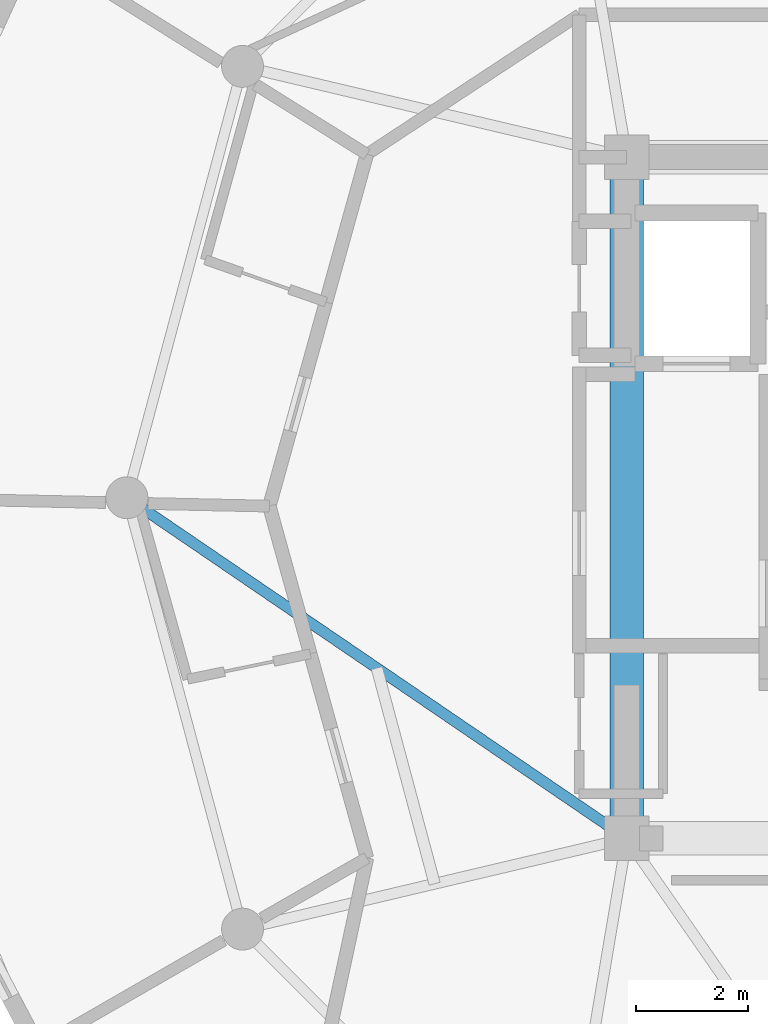
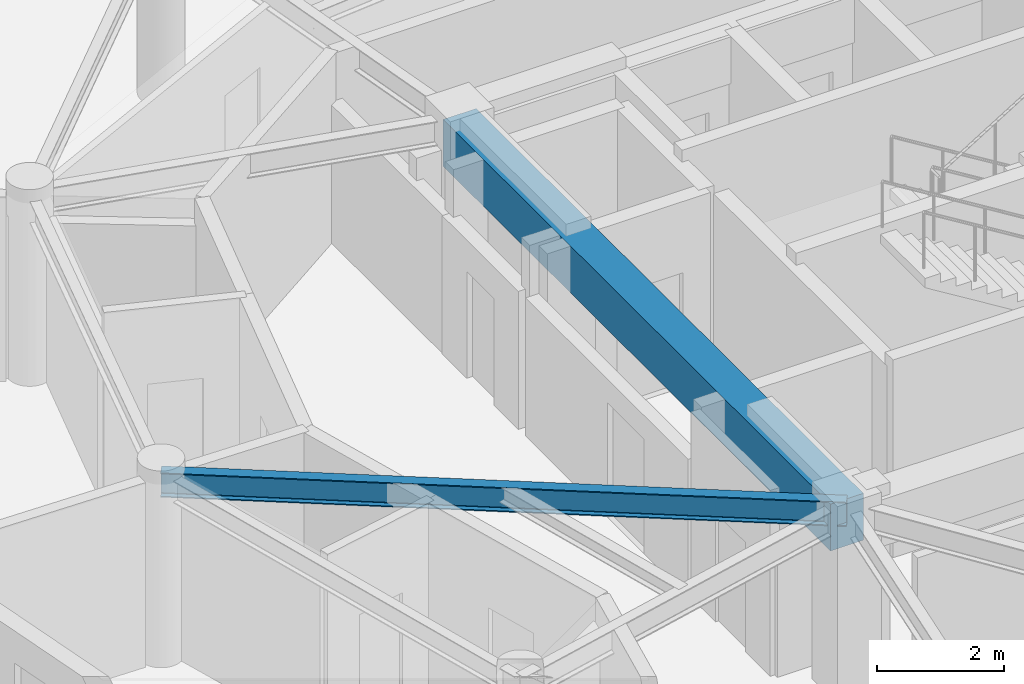
# One storey, part 8 of 18: 2 beams.
"""IFC4 building model written with IfcOpenShell, lengths in metres."""

from ifc_helpers import new_model, si_unit, direction, frame, origin, origin_2d, place, context, subcontext, project, spatial, rectangle, i_section, extrude, material, material_profile, profile_set, type_object, element, save


model = new_model("IFC4")

# Units and contexts
model_context = context("Model", 3, precision=1e-05, world=origin(), true_north=direction((0.0, 1.0)))
body_context = subcontext(model_context, "Body", "Model", "MODEL_VIEW")
ifc_project = project(units=[si_unit("LENGTHUNIT", "METRE"), si_unit("AREAUNIT", "SQUARE_METRE"), si_unit("VOLUMEUNIT", "CUBIC_METRE"), si_unit("PLANEANGLEUNIT", "RADIAN"), si_unit("MASSUNIT", "GRAM", prefix="KILO")], contexts=[model_context])

# Site, building, storey
site_placement = place(None, origin())
site = spatial("IfcSite", under=ifc_project, at=site_placement, CompositionType="ELEMENT")
building_placement = place(site_placement, origin())
building = spatial("IfcBuilding", under=site, at=building_placement, Name="Solvirekh Grand Hotel", CompositionType="ELEMENT")
storey_placement = place(building_placement, frame((0.0, 0.0, 274.39990234375)))
storey = spatial("IfcBuildingStorey", under=building, at=storey_placement, Name="L71", CompositionType="ELEMENT", Elevation=274.39990234375)

# Beams
ifc_material_1 = material(Name="Concrete C50/60", Category="concrete")
ifc_material_profile_1 = material_profile(ifc_material_1, rectangle(XDim=0.60009765625, YDim=0.89990234375, at=origin_2d()), Name="RC BEAM 600X900")
ifc_profile_set_1 = profile_set([ifc_material_profile_1], Name="Concrete C50/60")
beam_type_1 = type_object("IfcBeamType", Name="Beam_Core_RC900", PredefinedType="BEAM", material=ifc_profile_set_1)
beam_1_placement = place(storey_placement, frame((-6.5, 6.10009765625, 3.1201171875), z_axis=(0.0, -1.0, 0.0), x_axis=(1.0, 0.0, 0.0)))
element("IfcBeam", 1, at=beam_1_placement, inside=storey, type_object=beam_type_1, Name="L71 core coupling ring beam 4", PredefinedType="BEAM", context=body_context, shape_type="SweptSolid", body=[
    extrude(rectangle(XDim=0.60009765625, YDim=0.89990234375, at=origin_2d()), origin(), (0.0, 0.0, 1.0), 12.2001953125),
])
ifc_material_2 = material(Name="Steel S355", Category="steel")
ifc_material_profile_2 = material_profile(ifc_material_2, i_section(OverallWidth=0.194091796875, OverallDepth=0.468994140625, WebThickness=0.010986328125, FlangeThickness=0.01904296875, FilletRadius=0.012939453125, at=origin_2d()), Name="W460X106")
ifc_profile_set_2 = profile_set([ifc_material_profile_2], Name="Steel S355")
beam_type_2 = type_object("IfcBeamType", Name="Beam_Radial_W460H", PredefinedType="BEAM", material=ifc_profile_set_2)
beam_2_placement = place(storey_placement, frame((-6.5, -6.10009765625, 3.336181640625), z_axis=(-0.826319370306, 0.563201827285, 0.0), x_axis=(-0.563201827285, -0.826319370306, 0.0)))
element("IfcBeam", 2, at=beam_2_placement, inside=storey, type_object=beam_type_2, Name="L71 radial floor beam R07", PredefinedType="BEAM", context=body_context, shape_type="SweptSolid", body=[
    extrude(i_section(OverallWidth=0.194091796875, OverallDepth=0.468994140625, WebThickness=0.010986328125, FlangeThickness=0.01904296875, FilletRadius=0.012939453125, at=origin_2d()), origin(), (0.0, 0.0, 1.0), 10.8310546875),
])

save(model, "model.ifc")
